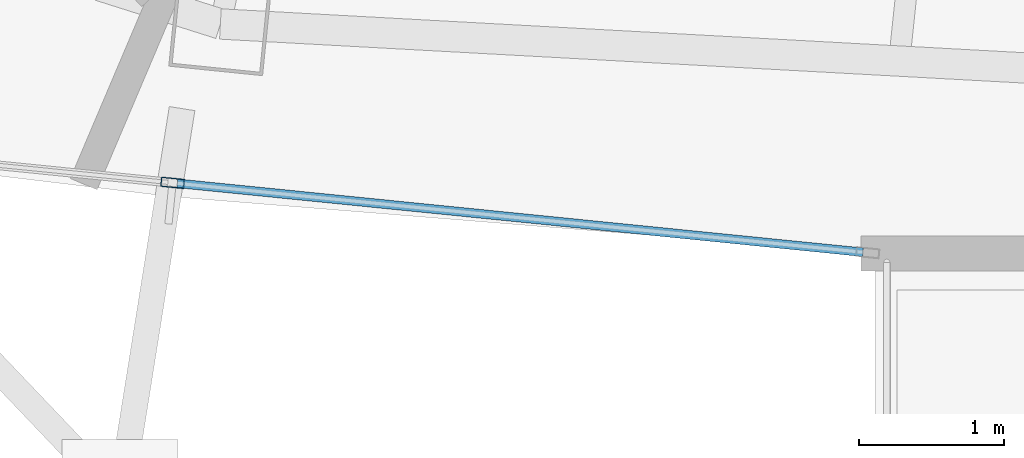
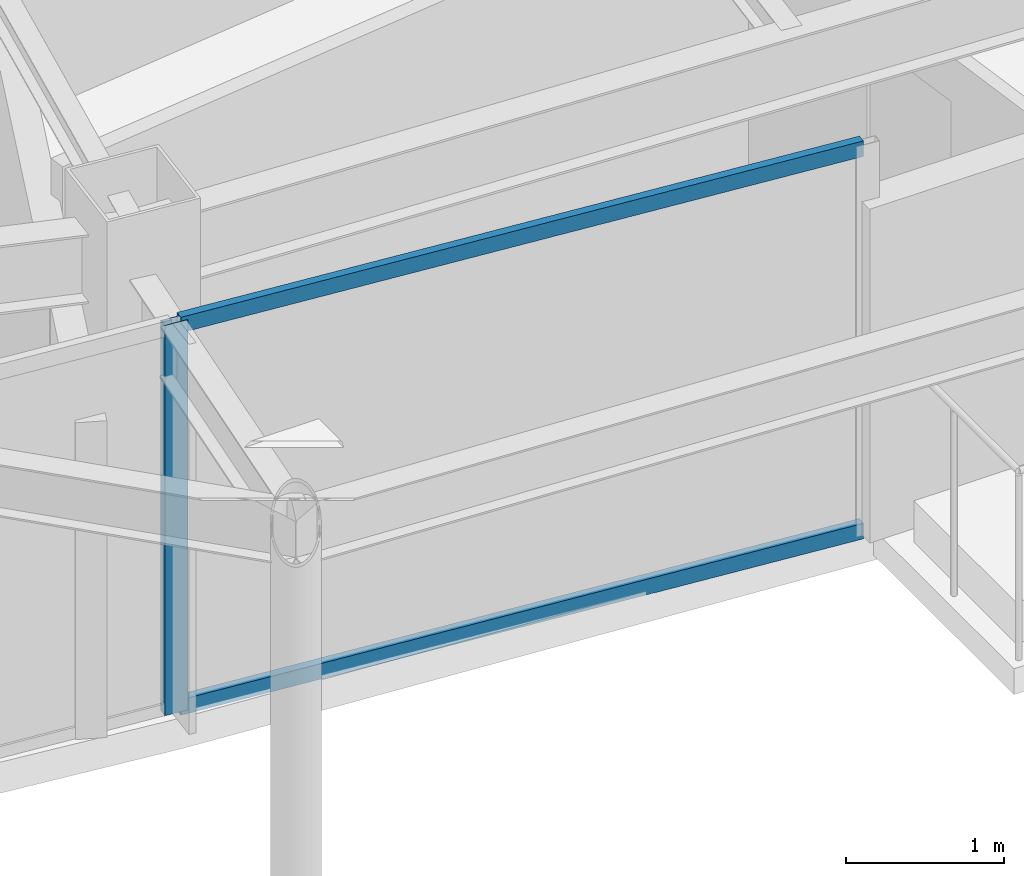
# One storey, part 4 of 30: 3 members, 1 element without a shape of its own.
"""IFC4 building model written with IfcOpenShell, lengths in metres."""

from ifc_helpers import new_model, si_unit, direction, frame, origin, origin_2d, place, context, subcontext, project, spatial, hollow_rectangle, extrude, material, layer, layer_set, material_profile, profile_set, type_object, element, aggregate, save


model = new_model("IFC4")

# Units and contexts
model_context = context("Model", 3, precision=1e-05, world=origin(), true_north=direction((0.0, 1.0)))
body_context = subcontext(model_context, "Body", "Model", "MODEL_VIEW")
ifc_project = project(units=[si_unit("LENGTHUNIT", "METRE"), si_unit("AREAUNIT", "SQUARE_METRE"), si_unit("VOLUMEUNIT", "CUBIC_METRE"), si_unit("PLANEANGLEUNIT", "RADIAN"), si_unit("MASSUNIT", "GRAM", prefix="KILO")], contexts=[model_context])

# Site, building, storey
site_placement = place(None, origin())
site = spatial("IfcSite", under=ifc_project, at=site_placement, CompositionType="ELEMENT")
building_placement = place(site_placement, origin())
building = spatial("IfcBuilding", under=site, at=building_placement, Name="Orvanel Arch Residences", CompositionType="ELEMENT")
storey_placement = place(building_placement, frame((0.0, 0.0, 273.35009765625)))
storey = spatial("IfcBuildingStorey", under=building, at=storey_placement, Name="L78", CompositionType="ELEMENT", Elevation=273.35009765625)

# Curtain wall, members
ifc_material = material(Name="Bronze-anodised aluminium AA6063-T6", Category="aluminium")
ifc_layer = layer(ifc_material, 0.175048828125)
ifc_layer_set = layer_set([ifc_layer], Name="Bronze-anodised aluminium AA6063-T6")
curtain_wall_type = type_object("IfcCurtainWallType", Name="CW4-HI-SYS", PredefinedType="NOTDEFINED", material=ifc_layer_set)
curtain_wall_placement = place(storey_placement, origin())
curtain_wall = element("IfcCurtainWall", 1, at=curtain_wall_placement, inside=storey, type_object=curtain_wall_type, Name="L78 CW4-HI-SYS Unitised Curtain Wall", PredefinedType="NOTDEFINED")
ifc_material_profile_1 = material_profile(ifc_material, hollow_rectangle(XDim=0.06494140625, YDim=0.159912109375, WallThickness=0.00390625, at=origin_2d()), Name="ALU160x65x4")
ifc_profile_set_1 = profile_set([ifc_material_profile_1], Name="Bronze-anodised aluminium AA6063-T6")
member_type_1 = type_object("IfcMemberType", Name="MUL-160x65", PredefinedType="MULLION", material=ifc_profile_set_1)
member_1_placement = place(storey_placement, frame((23.319580078125, 6.260498046875, 0.0), z_axis=(0.0, 0.0, 1.0), x_axis=(0.100004397711, 0.99498699511, 0.0)))
member_1 = element("IfcMember", 2, at=member_1_placement, type_object=member_type_1, Name="CW-S4 mullion 2", PredefinedType="MULLION", context=body_context, shape_type="SweptSolid", body=[
    extrude(hollow_rectangle(XDim=0.06494140625, YDim=0.159912109375, WallThickness=0.00390625, at=origin_2d()), origin(), (0.0, 0.0, 1.0), 3.02001953125),
])
ifc_material_profile_2 = material_profile(ifc_material, hollow_rectangle(XDim=0.06005859375, YDim=0.1201171875, WallThickness=0.00341796875, at=origin_2d()), Name="ALU120x60x3.5")
ifc_profile_set_2 = profile_set([ifc_material_profile_2], Name="Bronze-anodised aluminium AA6063-T6")
member_type_2 = type_object("IfcMemberType", Name="TRN-120x60", PredefinedType="USERDEFINED", material=ifc_profile_set_2)
member_2_placement = place(storey_placement, frame((23.351806640625, 6.25732421875, 0.02978515625), z_axis=(0.994985119775, -0.100023054474, 0.0), x_axis=(0.100023054474, 0.994985119775, 0.0)))
member_2 = element("IfcMember", 3, at=member_2_placement, type_object=member_type_2, Name="CW-S4 transom 2.1", ObjectType="TRANSOM", PredefinedType="USERDEFINED", context=body_context, shape_type="SweptSolid", body=[
    extrude(hollow_rectangle(XDim=0.06005859375, YDim=0.1201171875, WallThickness=0.00341796875, at=origin_2d()), origin(), (0.0, 0.0, 1.0), 4.74755859375),
])
member_3_placement = place(storey_placement, frame((23.351806640625, 6.25732421875, 2.989990234375), z_axis=(0.994985119775, -0.100023054474, 0.0), x_axis=(0.100023054474, 0.994985119775, 0.0)))
member_3 = element("IfcMember", 4, at=member_3_placement, type_object=member_type_2, Name="CW-S4 transom 2.2", ObjectType="TRANSOM", PredefinedType="USERDEFINED", context=body_context, shape_type="SweptSolid", body=[
    extrude(hollow_rectangle(XDim=0.06005859375, YDim=0.1201171875, WallThickness=0.00341796875, at=origin_2d()), origin(), (0.0, 0.0, 1.0), 4.74755859375),
])
aggregate(curtain_wall, [member_1, member_2, member_3])

save(model, "model.ifc")
